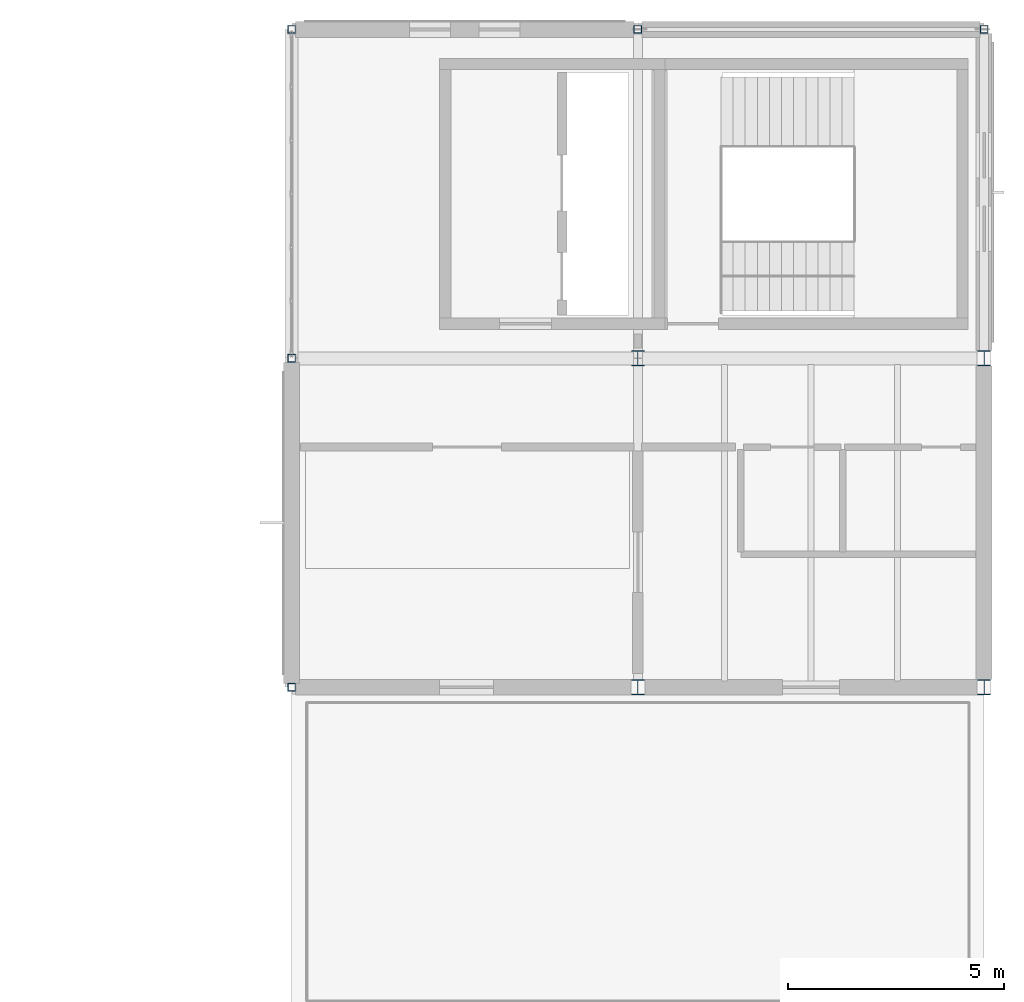
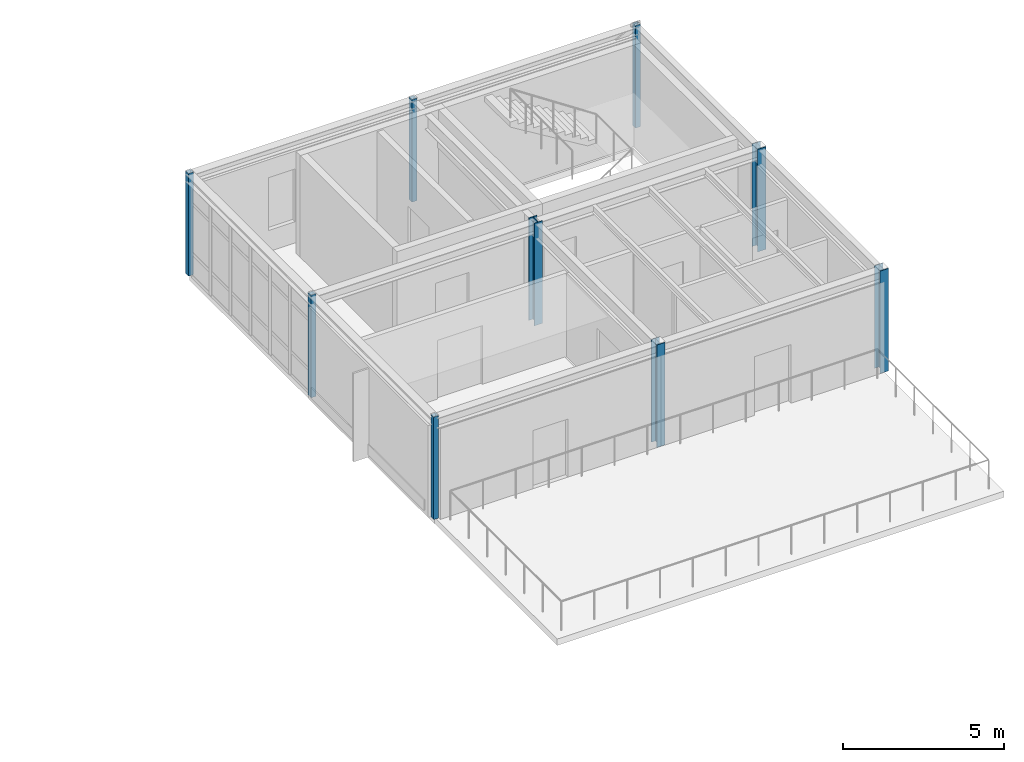
# One storey, part 4 of 26: 9 columns.
"""IFC4 building model written with IfcOpenShell, lengths in metres."""

from ifc_helpers import new_model, si_unit, direction, frame, origin, origin_2d, place, context, subcontext, project, spatial, hollow_rectangle, i_section, extrude, material, material_profile, profile_set, type_object, element, save


model = new_model("IFC4")

# Units and contexts
model_context = context("Model", 3, precision=1e-05, world=origin(), true_north=direction((0.0, 1.0)))
body_context = subcontext(model_context, "Body", "Model", "MODEL_VIEW")
ifc_project = project(units=[si_unit("LENGTHUNIT", "METRE"), si_unit("AREAUNIT", "SQUARE_METRE"), si_unit("VOLUMEUNIT", "CUBIC_METRE"), si_unit("PLANEANGLEUNIT", "RADIAN"), si_unit("MASSUNIT", "GRAM", prefix="KILO")], contexts=[model_context])

# Site, building, storey
site_placement = place(None, origin())
site = spatial("IfcSite", under=ifc_project, at=site_placement, CompositionType="ELEMENT")
building_placement = place(site_placement, origin())
building = spatial("IfcBuilding", under=site, at=building_placement, Name="Montecoro Central Library", CompositionType="ELEMENT")
storey_placement = place(building_placement, frame((0.0, 0.0, 21.419921875)))
storey = spatial("IfcBuildingStorey", under=building, at=storey_placement, Name="L05", CompositionType="ELEMENT", Elevation=21.419921875)

# Columns
ifc_material = material(Name="Steel S355", Category="steel")
ifc_material_profile_1 = material_profile(ifc_material, i_section(OverallWidth=0.300048828125, OverallDepth=0.360107421875, WebThickness=0.012451171875, FlangeThickness=0.0224609375, at=origin_2d()), Name="HEB 360")
ifc_profile_set_1 = profile_set([ifc_material_profile_1], Name="Steel S355")
column_type_1 = type_object("IfcColumnType", Name="COL-HEB360", PredefinedType="COLUMN", material=ifc_profile_set_1)
for number, where, z_axis, x_axis, name in (
    (1, (149.0, 103.800048828125, 0.0), (0.0, 0.0, 1.0), (1.0, 0.0, 0.0), "V5-L05-COL-19-P"),
    (2, (149.0, 111.39990234375, 0.0), (0.0, 0.0, 1.0), (1.0, 0.0, 0.0), "V5-L05-COL-19-Q"),
    (3, (157.0, 103.800048828125, 0.0), (0.0, 0.0, 1.0), (1.0, 0.0, 0.0), "V5-L05-COL-20-P"),
    (4, (157.0, 111.39990234375, 0.0), (0.0, 0.0, 1.0), (1.0, 0.0, 0.0), "V5-L05-COL-20-Q"),
):
    element("IfcColumn", number, at=place(storey_placement, frame(where, z_axis=z_axis, x_axis=x_axis)), inside=storey, type_object=column_type_1, Name=name, PredefinedType="COLUMN", context=body_context, shape_type="SweptSolid", body=[
        extrude(i_section(OverallWidth=0.300048828125, OverallDepth=0.360107421875, WebThickness=0.012451171875, FlangeThickness=0.0224609375, at=origin_2d()), origin(), (0.0, 0.0, 1.0), 3.880126953125),
    ])
ifc_material_profile_2 = material_profile(ifc_material, hollow_rectangle(XDim=0.179931640625, YDim=0.179931640625, WallThickness=0.010009765625, at=origin_2d()), Name="SHS 180x180x10.0")
ifc_profile_set_2 = profile_set([ifc_material_profile_2], Name="Steel S355")
column_type_2 = type_object("IfcColumnType", Name="COL-SHS180", PredefinedType="COLUMN", material=ifc_profile_set_2)
for number, where, z_axis, x_axis, name in (
    (5, (141.0, 103.800048828125, 0.0), (0.0, 0.0, 1.0), (1.0, 0.0, 0.0), "V5-L05-COL-18-P"),
    (6, (141.0, 111.39990234375, 0.0), (0.0, 0.0, 1.0), (1.0, 0.0, 0.0), "V5-L05-COL-18-Q"),
    (7, (141.0, 119.0, 0.0), (0.0, 0.0, 1.0), (1.0, 0.0, 0.0), "V5-L05-COL-18-R"),
    (8, (149.0, 119.0, 0.0), (0.0, 0.0, 1.0), (1.0, 0.0, 0.0), "V5-L05-COL-19-R"),
    (9, (157.0, 119.0, 0.0), (0.0, 0.0, 1.0), (1.0, 0.0, 0.0), "V5-L05-COL-20-R"),
):
    element("IfcColumn", number, at=place(storey_placement, frame(where, z_axis=z_axis, x_axis=x_axis)), inside=storey, type_object=column_type_2, Name=name, PredefinedType="COLUMN", context=body_context, shape_type="SweptSolid", body=[
        extrude(hollow_rectangle(XDim=0.179931640625, YDim=0.179931640625, WallThickness=0.010009765625, at=origin_2d()), origin(), (0.0, 0.0, 1.0), 3.880126953125),
    ])

save(model, "model.ifc")
